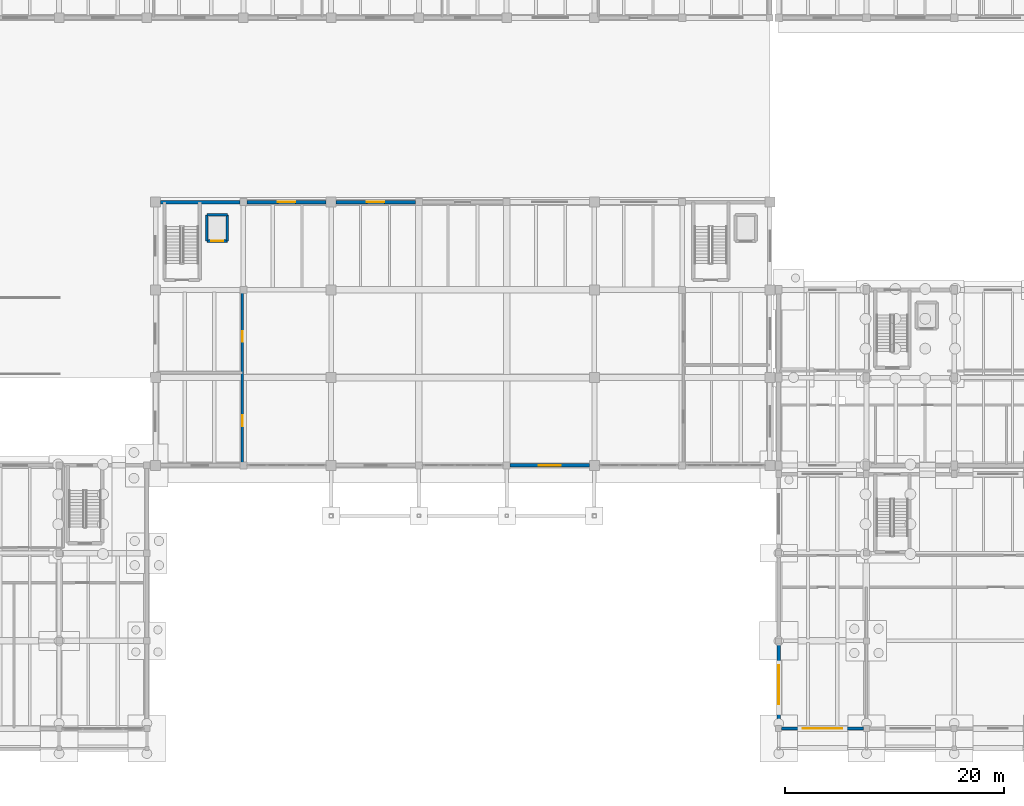
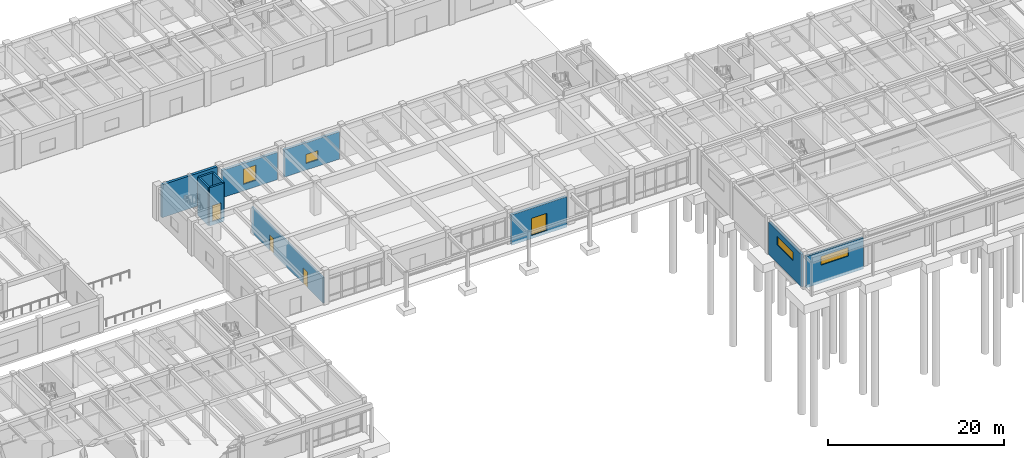
# One storey, part 35 of 64: 11 walls, 4 doors, 4 windows, 8 openings.
"""IFC4 building model written with IfcOpenShell, lengths in metres."""

from ifc_helpers import new_model, si_unit, direction, frame, frame_2d, origin, place, context, subcontext, project, spatial, rectangle, extrude, material, layer, layer_set, type_object, element, fill, save


model = new_model("IFC4")

# Units and contexts
model_context = context("Model", 3, precision=1e-05, world=origin(), true_north=direction((0.0, 1.0)))
body_context = subcontext(model_context, "Body", "Model", "MODEL_VIEW")
ifc_project = project(units=[si_unit("LENGTHUNIT", "METRE"), si_unit("AREAUNIT", "SQUARE_METRE"), si_unit("VOLUMEUNIT", "CUBIC_METRE"), si_unit("PLANEANGLEUNIT", "RADIAN"), si_unit("MASSUNIT", "GRAM", prefix="KILO")], contexts=[model_context])

# Site, building, storey
site_placement = place(None, origin())
site = spatial("IfcSite", under=ifc_project, at=site_placement, CompositionType="ELEMENT")
building_placement = place(site_placement, origin())
building = spatial("IfcBuilding", under=site, at=building_placement, Name="Tlaxcora Railside Police Headquarters", CompositionType="ELEMENT")
storey_placement = place(building_placement, origin())
storey = spatial("IfcBuildingStorey", under=building, at=storey_placement, Name="L00", CompositionType="ELEMENT", Elevation=0.0)

# Wall, openings, doors
ifc_material_1 = material(Name="Pressed clay brick masonry", Category="masonry")
ifc_layer_1 = layer(ifc_material_1, 0.199951171875, Name="Pressed clay brick masonry")
ifc_layer_set_1 = layer_set([ifc_layer_1], Name="Pressed clay brick masonry")
wall_type_1 = type_object("IfcWallType", Name="Interior Partition Wall IW-60", PredefinedType="PARTITIONING", material=ifc_layer_set_1)
wall_1_placement = place(storey_placement, frame((53.89990234375, 36.080078125, 0.0), z_axis=(0.0, 0.0, 1.0), x_axis=(0.0, 1.0, 0.0)))
wall_1 = element("IfcWall", 1, at=wall_1_placement, inside=storey, type_object=wall_type_1, Name="V1 L00 interior partition 27", PredefinedType="PARTITIONING", context=body_context, shape_type="SweptSolid", body=[
    extrude(rectangle(XDim=16.219970703125, YDim=0.199951171875, at=frame_2d((8.10986328125, 0.0))), origin(), (0.0, 0.0, 1.0), 3.56494140625),
])
opening_1_placement = place(wall_1_placement, frame((3.5, 0.0, 0.0)))
opening_1 = element("IfcOpeningElement", 2, at=opening_1_placement, cuts=wall_1, Name="Opening D-L00-079", PredefinedType="OPENING", context=body_context, shape_type="SweptSolid", body=[
    extrude(rectangle(XDim=1.0, YDim=2.14990234375, at=frame_2d((0.5, 1.074951171875))), frame((0.0, 0.10986328125, 0.0), z_axis=(0.0, -1.0, 0.0), x_axis=(1.0, 0.0, 0.0)), (0.0, 0.0, 1.0), 0.219970703125),
])
opening_2_placement = place(wall_1_placement, frame((11.199951171875, 0.0, 0.0)))
opening_2 = element("IfcOpeningElement", 3, at=opening_2_placement, cuts=wall_1, Name="Opening D-L00-080", PredefinedType="OPENING", context=body_context, shape_type="SweptSolid", body=[
    extrude(rectangle(XDim=0.949951171875, YDim=2.14990234375, at=frame_2d((0.47509765625, 1.074951171875))), frame((0.0, 0.10986328125, 0.0), z_axis=(0.0, -1.0, 0.0), x_axis=(1.0, 0.0, 0.0)), (0.0, 0.0, 1.0), 0.219970703125),
])
ifc_material_2 = material(Name="Steel ASTM A992 Grade 50", Category="steel")
door_type_1 = type_object("IfcDoorType", Name="Swing or Sliding Personnel Door ID-31", OperationType="NOTDEFINED", PredefinedType="DOOR", material=ifc_material_2)
door_1_placement = place(opening_2_placement, origin())
door_1 = element("IfcDoor", 4, at=door_1_placement, inside=storey, type_object=door_type_1, Name="V1 L00 door D-L00-080", OperationType="SINGLE_SWING_RIGHT", OverallHeight=2.14990234375, OverallWidth=0.949951171875, PredefinedType="DOOR", context=body_context, shape_type="SweptSolid", body=[
    extrude(rectangle(XDim=0.949951171875, YDim=2.14990234375, at=frame_2d((0.47509765625, 1.074951171875))), frame((0.0, 0.02490234375, 0.0), z_axis=(0.0, -1.0, 0.0), x_axis=(1.0, 0.0, 0.0)), (0.0, 0.0, 1.0), 0.050048828125),
])
fill(opening_2, door_1)
door_type_2 = type_object("IfcDoorType", Name="Swing or Sliding Personnel Door ID-55", OperationType="NOTDEFINED", PredefinedType="DOOR", material=ifc_material_2)
door_2_placement = place(opening_1_placement, origin())
door_2 = element("IfcDoor", 5, at=door_2_placement, inside=storey, type_object=door_type_2, Name="V1 L00 door D-L00-079", OperationType="SINGLE_SWING_LEFT", OverallHeight=2.14990234375, OverallWidth=1.0, PredefinedType="DOOR", context=body_context, shape_type="SweptSolid", body=[
    extrude(rectangle(XDim=1.0, YDim=2.14990234375, at=frame_2d((0.5, 1.074951171875))), frame((0.0, 0.02490234375, 0.0), z_axis=(0.0, -1.0, 0.0), x_axis=(1.0, 0.0, 0.0)), (0.0, 0.0, 1.0), 0.050048828125),
])
fill(opening_1, door_2)

# Wall, opening, door
ifc_material_3 = material(Name="Concrete C40/50", Category="concrete")
ifc_layer_2 = layer(ifc_material_3, 0.25, Name="Concrete C40/50")
ifc_layer_set_2 = layer_set([ifc_layer_2], Name="Concrete C40/50")
wall_type_2 = type_object("IfcWallType", Name="Shear Core Wall IW-13", PredefinedType="SHEAR", material=ifc_layer_set_2)
wall_2_placement = place(storey_placement, frame((50.659912109375, 56.4599609375, -0.5), z_axis=(0.0, 0.0, 1.0), x_axis=(1.0, 0.0, 0.0)))
wall_2 = element("IfcWall", 6, at=wall_2_placement, inside=storey, type_object=wall_type_2, Name="Lift PL-04 L00 shaft wall S", PredefinedType="SHEAR", context=body_context, shape_type="SweptSolid", body=[
    extrude(rectangle(XDim=1.880126953125, YDim=0.25, at=frame_2d((0.93994140625, 0.0))), origin(), (0.0, 0.0, 1.0), 5.300048828125),
])
opening_3_placement = place(wall_2_placement, frame((0.389892578125, 0.0, 0.5)))
opening_3 = element("IfcOpeningElement", 7, at=opening_3_placement, cuts=wall_2, Name="Opening LD-PL-04-L00", PredefinedType="OPENING", context=body_context, shape_type="SweptSolid", body=[
    extrude(rectangle(XDim=1.10009765625, YDim=2.199951171875, at=frame_2d((0.550048828125, 1.10009765625))), frame((0.0, 0.135009765625, 0.0), z_axis=(0.0, -1.0, 0.0), x_axis=(1.0, 0.0, 0.0)), (0.0, 0.0, 1.0), 0.27001953125),
])
door_type_3 = type_object("IfcDoorType", Name="Swing or Sliding Personnel Door ID-15", OperationType="NOTDEFINED", PredefinedType="DOOR", material=ifc_material_2)
door_3_placement = place(opening_3_placement, origin())
door_3 = element("IfcDoor", 8, at=door_3_placement, inside=storey, type_object=door_type_3, Name="Lift PL-04 L00 sliding landing door", OperationType="DOUBLE_DOOR_SLIDING", OverallHeight=2.199951171875, OverallWidth=1.10009765625, PredefinedType="DOOR", context=body_context, shape_type="SweptSolid", body=[
    extrude(rectangle(XDim=1.10009765625, YDim=2.199951171875, at=frame_2d((0.550048828125, 1.10009765625))), frame((0.0, 0.02490234375, 0.0), z_axis=(0.0, -1.0, 0.0), x_axis=(1.0, 0.0, 0.0)), (0.0, 0.0, 1.0), 0.050048828125),
])
fill(opening_3, door_3)

# Walls
wall_3_placement = place(storey_placement, frame((52.5400390625, 56.4599609375, -0.5), z_axis=(0.0, 0.0, 1.0), x_axis=(0.0, 1.0, 0.0)))
element("IfcWall", 9, at=wall_3_placement, inside=storey, type_object=wall_type_2, Name="Lift PL-04 L00 shaft wall E", PredefinedType="SHEAR", context=body_context, shape_type="SweptSolid", body=[
    extrude(rectangle(XDim=2.380126953125, YDim=0.25, at=frame_2d((1.18994140625, 0.0))), origin(), (0.0, 0.0, 1.0), 5.300048828125),
])
wall_4_placement = place(storey_placement, frame((52.5400390625, 58.840087890625, -0.5), z_axis=(0.0, 0.0, 1.0), x_axis=(-1.0, 0.0, 0.0)))
element("IfcWall", 10, at=wall_4_placement, inside=storey, type_object=wall_type_2, Name="Lift PL-04 L00 shaft wall N", PredefinedType="SHEAR", context=body_context, shape_type="SweptSolid", body=[
    extrude(rectangle(XDim=1.880126953125, YDim=0.25, at=frame_2d((0.93994140625, 0.0))), origin(), (0.0, 0.0, 1.0), 5.300048828125),
])
wall_5_placement = place(storey_placement, frame((50.659912109375, 58.840087890625, -0.5), z_axis=(0.0, 0.0, 1.0), x_axis=(0.0, -1.0, 0.0)))
element("IfcWall", 11, at=wall_5_placement, inside=storey, type_object=wall_type_2, Name="Lift PL-04 L00 shaft wall W", PredefinedType="SHEAR", context=body_context, shape_type="SweptSolid", body=[
    extrude(rectangle(XDim=2.380126953125, YDim=0.25, at=frame_2d((1.18994140625, 0.0))), origin(), (0.0, 0.0, 1.0), 5.300048828125),
])

# Wall, opening, door
ifc_material_4 = material(Name="Volcanic basalt ashlar masonry", Category="masonry")
ifc_layer_3 = layer(ifc_material_4, 0.3349609375, Name="Volcanic basalt ashlar masonry")
ifc_layer_set_3 = layer_set([ifc_layer_3], Name="Volcanic basalt ashlar masonry")
wall_type_3 = type_object("IfcWallType", Name="Structural Bearing Wall EW-46", PredefinedType="SOLIDWALL", material=ifc_layer_set_3)
wall_6_placement = place(storey_placement, frame((78.324951171875, 36.0, -0.419921875), z_axis=(0.0, 0.0, 1.0), x_axis=(1.0, 0.0, 0.0)))
wall_6 = element("IfcWall", 12, at=wall_6_placement, inside=storey, type_object=wall_type_3, Name="V1 L00 exterior wall 0.4", PredefinedType="SOLIDWALL", context=body_context, shape_type="SweptSolid", body=[
    extrude(rectangle(XDim=7.22509765625, YDim=0.3349609375, at=frame_2d((3.612548828125, 0.0))), origin(), (0.0, 0.0, 1.0), 4.199951171875),
])
opening_4_placement = place(wall_6_placement, frame((2.612548828125, 0.0, 0.419921875)))
opening_4 = element("IfcOpeningElement", 13, at=opening_4_placement, cuts=wall_6, Name="Opening E-02", PredefinedType="OPENING", context=body_context, shape_type="SweptSolid", body=[
    extrude(rectangle(XDim=2.0, YDim=2.39990234375, at=frame_2d((1.0, 1.199951171875))), frame((0.0, 0.177490234375, 0.0), z_axis=(0.0, -1.0, 0.0), x_axis=(1.0, 0.0, 0.0)), (0.0, 0.0, 1.0), 0.35498046875),
])
ifc_material_5 = material(Name="Anodised aluminium framing", Category="aluminium")
door_type_4 = type_object("IfcDoorType", Name="Swing or Sliding Personnel Door ED-20", OperationType="NOTDEFINED", PredefinedType="DOOR", material=ifc_material_5)
door_4_placement = place(opening_4_placement, frame((2.0, 0.0, 0.0), z_axis=(0.0, 0.0, 1.0), x_axis=(-1.0, 0.0, 0.0)))
door_4 = element("IfcDoor", 14, at=door_4_placement, inside=storey, type_object=door_type_4, Name="Main civic entrance door E-02", OperationType="DOUBLE_DOOR_SINGLE_SWING", OverallHeight=2.39990234375, OverallWidth=2.0, PredefinedType="DOOR", context=body_context, shape_type="SweptSolid", body=[
    extrude(rectangle(XDim=2.0, YDim=2.39990234375, at=frame_2d((1.0, 1.199951171875))), frame((0.0, 0.02490234375, 0.0), z_axis=(0.0, -1.0, 0.0), x_axis=(1.0, 0.0, 0.0)), (0.0, 0.0, 1.0), 0.050048828125),
])
fill(opening_4, door_4)

# Wall, opening, window
wall_7_placement = place(storey_placement, frame((69.675048828125, 60.0, 0.0), z_axis=(0.0, 0.0, 1.0), x_axis=(-1.0, 0.0, 0.0)))
wall_7 = element("IfcWall", 15, at=wall_7_placement, inside=storey, type_object=wall_type_3, Name="V1 L00 exterior wall 2.4", PredefinedType="SOLIDWALL", context=body_context, shape_type="SweptSolid", body=[
    extrude(rectangle(XDim=7.22509765625, YDim=0.3349609375, at=frame_2d((3.612548828125, 0.0))), origin(), (0.0, 0.0, 1.0), 3.780029296875),
])
opening_5_placement = place(wall_7_placement, frame((2.8125, 0.0, 0.89990234375)))
opening_5 = element("IfcOpeningElement", 16, at=opening_5_placement, cuts=wall_7, Name="Opening WN-63", PredefinedType="OPENING", context=body_context, shape_type="SweptSolid", body=[
    extrude(rectangle(XDim=1.60009765625, YDim=1.25, at=frame_2d((0.800048828125, 0.625))), frame((0.0, 0.177490234375, 0.0), z_axis=(0.0, -1.0, 0.0), x_axis=(1.0, 0.0, 0.0)), (0.0, 0.0, 1.0), 0.35498046875),
])
ifc_material_6 = material(Name="Thermally broken low-E insulated glazing", Category="glass")
window_type_1 = type_object("IfcWindowType", Name="Exterior Framed or Circular Window WN-63", PartitioningType="SINGLE_PANEL", PredefinedType="WINDOW", material=ifc_material_6)
window_1_placement = place(opening_5_placement, origin())
window_1 = element("IfcWindow", 17, at=window_1_placement, inside=storey, type_object=window_type_1, Name="V1 L00 window 21", OverallHeight=1.25, OverallWidth=1.60009765625, PartitioningType="SINGLE_PANEL", PredefinedType="WINDOW", context=body_context, shape_type="SweptSolid", body=[
    extrude(rectangle(XDim=1.60009765625, YDim=1.25, at=frame_2d((0.800048828125, 0.625))), frame((0.0, 0.030029296875, 0.0), z_axis=(0.0, -1.0, 0.0), x_axis=(1.0, 0.0, 0.0)), (0.0, 0.0, 1.0), 0.06005859375),
])
fill(opening_5, window_1)

wall_8_placement = place(storey_placement, frame((61.550048828125, 60.0, 0.0), z_axis=(0.0, 0.0, 1.0), x_axis=(-1.0, 0.0, 0.0)))
wall_8 = element("IfcWall", 18, at=wall_8_placement, inside=storey, type_object=wall_type_3, Name="V1 L00 exterior wall 2.5", PredefinedType="SOLIDWALL", context=body_context, shape_type="SweptSolid", body=[
    extrude(rectangle(XDim=7.22509765625, YDim=0.3349609375, at=frame_2d((3.612548828125, 0.0))), origin(), (0.0, 0.0, 1.0), 3.780029296875),
])
opening_6_placement = place(wall_8_placement, frame((2.8125, 0.0, 0.89990234375)))
opening_6 = element("IfcOpeningElement", 19, at=opening_6_placement, cuts=wall_8, Name="Opening WN-54", PredefinedType="OPENING", context=body_context, shape_type="SweptSolid", body=[
    extrude(rectangle(XDim=1.60009765625, YDim=2.10009765625, at=frame_2d((0.800048828125, 1.050048828125))), frame((0.0, 0.177490234375, 0.0), z_axis=(0.0, -1.0, 0.0), x_axis=(1.0, 0.0, 0.0)), (0.0, 0.0, 1.0), 0.35498046875),
])
window_type_2 = type_object("IfcWindowType", Name="Exterior Framed or Circular Window WN-54", PartitioningType="SINGLE_PANEL", PredefinedType="WINDOW", material=ifc_material_6)
window_2_placement = place(opening_6_placement, origin())
window_2 = element("IfcWindow", 20, at=window_2_placement, inside=storey, type_object=window_type_2, Name="V1 L00 window 22", OverallHeight=2.10009765625, OverallWidth=1.60009765625, PartitioningType="SINGLE_PANEL", PredefinedType="WINDOW", context=body_context, shape_type="SweptSolid", body=[
    extrude(rectangle(XDim=1.60009765625, YDim=2.10009765625, at=frame_2d((0.800048828125, 1.050048828125))), frame((0.0, 0.030029296875, 0.0), z_axis=(0.0, -1.0, 0.0), x_axis=(1.0, 0.0, 0.0)), (0.0, 0.0, 1.0), 0.06005859375),
])
fill(opening_6, window_2)

# Wall
wall_9_placement = place(storey_placement, frame((53.675048828125, 60.0, 0.0), z_axis=(0.0, 0.0, 1.0), x_axis=(-1.0, 0.0, 0.0)))
element("IfcWall", 21, at=wall_9_placement, inside=storey, type_object=wall_type_3, Name="V1 L00 exterior wall 2.6", PredefinedType="SOLIDWALL", context=body_context, shape_type="SweptSolid", body=[
    extrude(rectangle(XDim=7.22509765625, YDim=0.3349609375, at=frame_2d((3.612548828125, 0.0))), origin(), (0.0, 0.0, 1.0), 4.530029296875),
])

# Wall, opening, window
ifc_layer_4 = layer(ifc_material_1, 0.294921875, Name="Pressed clay brick masonry")
ifc_layer_set_4 = layer_set([ifc_layer_4], Name="Pressed clay brick masonry")
wall_type_4 = type_object("IfcWallType", Name="Structural Bearing Wall EW-74", PredefinedType="SOLIDWALL", material=ifc_layer_set_4)
wall_10_placement = place(storey_placement, frame((103.074951171875, 12.0, -0.419921875), z_axis=(0.0, 0.0, 1.0), x_axis=(1.0, 0.0, 0.0)))
wall_10 = element("IfcWall", 22, at=wall_10_placement, inside=storey, type_object=wall_type_4, Name="V3 L00 exterior wall 0.0", PredefinedType="SOLIDWALL", context=body_context, shape_type="SweptSolid", body=[
    extrude(rectangle(XDim=7.449951171875, YDim=0.294921875, at=frame_2d((3.72509765625, 0.0))), origin(), (0.0, 0.0, 1.0), 4.3330078125),
])
opening_7_placement = place(wall_10_placement, frame((1.925048828125, 0.0, 2.469970703125)))
opening_7 = element("IfcOpeningElement", 23, at=opening_7_placement, cuts=wall_10, Name="Opening WN-77", PredefinedType="OPENING", context=body_context, shape_type="SweptSolid", body=[
    extrude(rectangle(XDim=3.60009765625, YDim=1.199951171875, at=frame_2d((1.800048828125, 0.60009765625))), frame((0.0, 0.157470703125, 0.0), z_axis=(0.0, -1.0, 0.0), x_axis=(1.0, 0.0, 0.0)), (0.0, 0.0, 1.0), 0.31494140625),
])
window_type_3 = type_object("IfcWindowType", Name="Exterior Framed or Circular Window WN-77", PartitioningType="SINGLE_PANEL", PredefinedType="WINDOW", material=ifc_material_6)
window_3_placement = place(opening_7_placement, origin())
window_3 = element("IfcWindow", 24, at=window_3_placement, inside=storey, type_object=window_type_3, Name="V3 L00 window 37", OverallHeight=1.199951171875, OverallWidth=3.60009765625, PartitioningType="SINGLE_PANEL", PredefinedType="WINDOW", context=body_context, shape_type="SweptSolid", body=[
    extrude(rectangle(XDim=3.60009765625, YDim=1.199951171875, at=frame_2d((1.800048828125, 0.60009765625))), frame((0.0, 0.030029296875, 0.0), z_axis=(0.0, -1.0, 0.0), x_axis=(1.0, 0.0, 0.0)), (0.0, 0.0, 1.0), 0.06005859375),
])
fill(opening_7, window_3)

wall_11_placement = place(storey_placement, frame((102.800048828125, 19.72509765625, -0.419921875), z_axis=(0.0, 0.0, 1.0), x_axis=(0.0, -1.0, 0.0)))
wall_11 = element("IfcWall", 25, at=wall_11_placement, inside=storey, type_object=wall_type_4, Name="V3 L00 exterior wall 3.2", PredefinedType="SOLIDWALL", context=body_context, shape_type="SweptSolid", body=[
    extrude(rectangle(XDim=7.4501953125, YDim=0.294921875, at=frame_2d((3.72509765625, 0.0))), origin(), (0.0, 0.0, 1.0), 4.488037109375),
])
opening_8_placement = place(wall_11_placement, frame((1.925048828125, 0.0, 2.469970703125)))
opening_8 = element("IfcOpeningElement", 26, at=opening_8_placement, cuts=wall_11, Name="Opening WN-77", PredefinedType="OPENING", context=body_context, shape_type="SweptSolid", body=[
    extrude(rectangle(XDim=3.60009765625, YDim=1.199951171875, at=frame_2d((1.800048828125, 0.60009765625))), frame((0.0, 0.157470703125, 0.0), z_axis=(0.0, -1.0, 0.0), x_axis=(1.0, 0.0, 0.0)), (0.0, 0.0, 1.0), 0.31494140625),
])
window_4_placement = place(opening_8_placement, origin())
window_4 = element("IfcWindow", 27, at=window_4_placement, inside=storey, type_object=window_type_3, Name="V3 L00 window 52", OverallHeight=1.199951171875, OverallWidth=3.60009765625, PartitioningType="SINGLE_PANEL", PredefinedType="WINDOW", context=body_context, shape_type="SweptSolid", body=[
    extrude(rectangle(XDim=3.60009765625, YDim=1.199951171875, at=frame_2d((1.800048828125, 0.60009765625))), frame((0.0, 0.030029296875, 0.0), z_axis=(0.0, -1.0, 0.0), x_axis=(1.0, 0.0, 0.0)), (0.0, 0.0, 1.0), 0.06005859375),
])
fill(opening_8, window_4)

save(model, "model.ifc")
